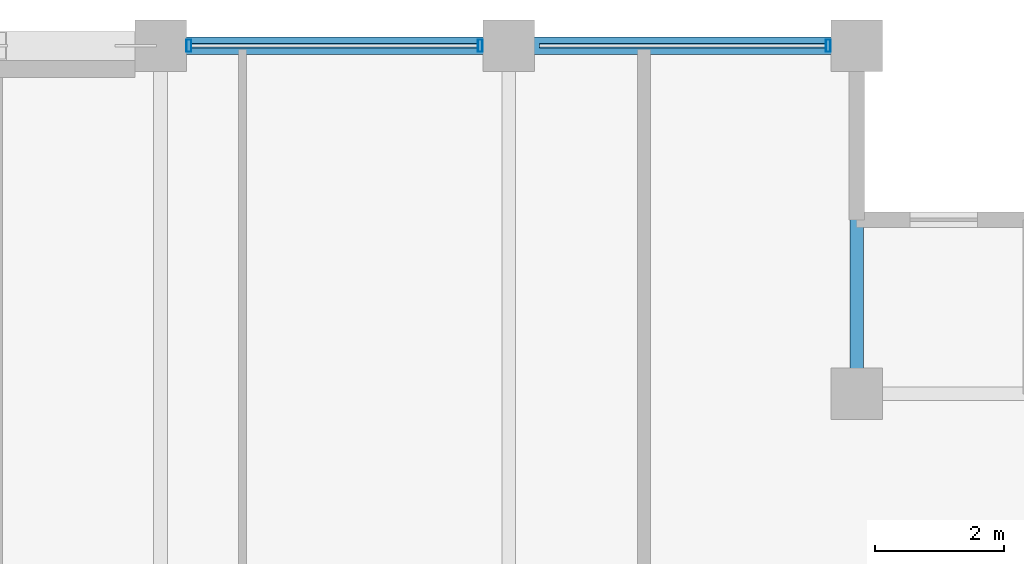
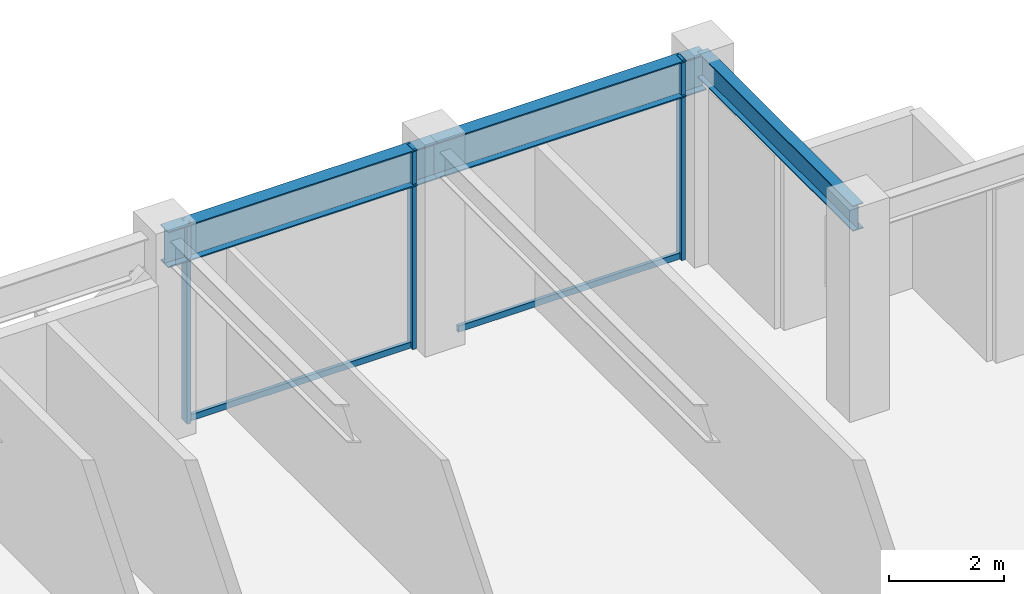
# One storey, part 20 of 28: 5 members, 3 beams, 1 element without a shape of its own.
"""IFC4 building model written with IfcOpenShell, lengths in metres."""

import ifcopenshell
import ifcopenshell.guid

model = None  # the IFC model being written
_history = None  # IfcOwnerHistory: only IFC2X3 demands one
_inside = {}  # id of a spatial element -> (the spatial element, [elements in it])
_under = {}  # id of a project, library or spatial element -> (it, [spatial elements below it])
_declared = {}  # id of a project -> (the project, [libraries it declares])
_typed = {}  # id of a type object -> (the type object, [elements of that type])
_made_of = {}  # id of a material, layer set ... -> (it, [elements and type objects made of it])


def new_model(schema):
    """Start an empty IFC model of exactly this schema.

    Asked for "IFC4X3", IfcOpenShell would pick the latest addendum, in which some entities
    have other attributes; the version numbers below select the first issue.
    IFC2X3 requires an IfcOwnerHistory on every rooted entity: one is made here for all.
    """
    global model, _history
    if schema == "IFC4X3":
        model = ifcopenshell.file(schema_version=(4, 3, 0, 0))
    else:
        model = ifcopenshell.file(schema=schema)
    _inside.clear()
    _under.clear()
    _declared.clear()
    _typed.clear()
    _made_of.clear()
    _history = None
    if model.schema == "IFC2X3":
        org = make("IfcOrganization", Name="unknown")
        user = make(
            "IfcPersonAndOrganization",
            ThePerson=make("IfcPerson", FamilyName="unknown"),
            TheOrganization=org,
        )
        app = make(
            "IfcApplication",
            ApplicationDeveloper=org,
            Version="unknown",
            ApplicationFullName="unknown",
            ApplicationIdentifier="unknown",
        )
        _history = make(
            "IfcOwnerHistory",
            OwningUser=user,
            OwningApplication=app,
            ChangeAction="ADDED",
            CreationDate=0,
        )
    return model


def make(cls, **values):
    """One entity of the class cls with the attributes given. An attribute that is None is left unset."""
    return model.create_entity(
        cls, **{name: value for name, value in values.items() if value is not None}
    )


def rooted(cls, **values):
    """An entity with a GlobalId (a new one), such as an element, a storey or a relation."""
    return make(cls, GlobalId=ifcopenshell.guid.new(), OwnerHistory=_history, **values)


def si_unit(unit_type, name, prefix=None):
    """IfcSIUnit, for example si_unit("LENGTHUNIT", "METRE", prefix="MILLI")."""
    return make("IfcSIUnit", UnitType=unit_type, Prefix=prefix, Name=name)


def assignment(units):
    """IfcUnitAssignment: the units of a project."""
    return None if units is None else make("IfcUnitAssignment", Units=units)


def point(xyz):
    """IfcCartesianPoint."""
    return None if xyz is None else make("IfcCartesianPoint", Coordinates=xyz)


def direction(xyz):
    """IfcDirection."""
    return None if xyz is None else make("IfcDirection", DirectionRatios=xyz)


def frame(location, z_axis=None, x_axis=None):
    """IfcAxis2Placement3D, a coordinate frame: its origin and axes. An axis left out is left unset."""
    return make(
        "IfcAxis2Placement3D",
        Location=point(location),
        Axis=direction(z_axis),
        RefDirection=direction(x_axis),
    )


def frame_2d(location, x_axis=None):
    """IfcAxis2Placement2D, a coordinate frame in the plane: its origin and x axis."""
    return make(
        "IfcAxis2Placement2D", Location=point(location), RefDirection=direction(x_axis)
    )


def origin():
    """The frame at (0, 0, 0) with its axes left unset."""
    return frame((0.0, 0.0, 0.0))


def origin_2d():
    """The frame at (0, 0) in the plane with its x axis left unset."""
    return frame_2d((0.0, 0.0))


def place(relative_to, where):
    """IfcLocalPlacement: puts the frame where relative to a parent placement (None: the world)."""
    return make(
        "IfcLocalPlacement", PlacementRelTo=relative_to, RelativePlacement=where
    )


def context(
    kind, dimensions, precision=None, world=None, true_north=None, identifier=None
):
    """IfcGeometricRepresentationContext, for example the 3D "Model" context."""
    return make(
        "IfcGeometricRepresentationContext",
        ContextIdentifier=identifier,
        ContextType=kind,
        CoordinateSpaceDimension=dimensions,
        Precision=precision,
        WorldCoordinateSystem=world,
        TrueNorth=true_north,
    )


def subcontext(parent, identifier, kind, view, scale=None):
    """IfcGeometricRepresentationSubContext, for example "Body" below "Model"."""
    return make(
        "IfcGeometricRepresentationSubContext",
        ContextIdentifier=identifier,
        ContextType=kind,
        ParentContext=parent,
        TargetScale=scale,
        TargetView=view,
    )


def project(units=None, contexts=None):
    """IfcProject with its units and contexts."""
    return rooted(
        "IfcProject",
        Name="project",
        RepresentationContexts=contexts,
        UnitsInContext=assignment(units),
    )


def spatial(cls, under=None, at=None, **own):
    """A site, building, storey or space (cls), placed at a placement, below another one or the project."""
    s = rooted(cls, ObjectPlacement=at, **own)
    if under is not None:
        _under.setdefault(under.id(), (under, []))[1].append(s)
    return s


def profile(cls, at=None, kind="AREA", **sizes):
    """A parametric profile (cls). Its sizes go by their IFC names, for example OverallWidth=200.0."""
    return make(cls, ProfileType=kind, Position=at, **sizes)


def hollow_rectangle(**sizes):
    """IfcRectangleHollowProfileDef."""
    return profile("IfcRectangleHollowProfileDef", **sizes)


def i_section(**sizes):
    """IfcIShapeProfileDef."""
    return profile("IfcIShapeProfileDef", **sizes)


def extrude(swept, where, along, depth):
    """IfcExtrudedAreaSolid: the profile swept, set in the frame where, extruded along a direction by depth."""
    return make(
        "IfcExtrudedAreaSolid",
        SweptArea=swept,
        Position=where,
        ExtrudedDirection=direction(along),
        Depth=depth,
    )


def shape(context_of_items, identifier, shape_type, items):
    """IfcShapeRepresentation: the items that make up one representation, for example the "Body"."""
    return make(
        "IfcShapeRepresentation",
        ContextOfItems=context_of_items,
        RepresentationIdentifier=identifier,
        RepresentationType=shape_type,
        Items=items,
    )


def material(Name=None, Category=None):
    """IfcMaterial."""
    return make("IfcMaterial", Name=Name, Category=Category)


def layer(
    of_material, thickness, ventilated=None, Name=None, Category=None, Priority=None
):
    """IfcMaterialLayer: one layer of a wall or slab, of a material (None: an air gap)."""
    return make(
        "IfcMaterialLayer",
        Material=of_material,
        LayerThickness=thickness,
        IsVentilated=ventilated,
        Name=Name,
        Category=Category,
        Priority=Priority,
    )


def layer_set(layers, Name=None):
    """IfcMaterialLayerSet."""
    return make("IfcMaterialLayerSet", MaterialLayers=layers, LayerSetName=Name)


def material_profile(
    of_material, cross_section, Name=None, Category=None, Priority=None
):
    """IfcMaterialProfile: a cross section and its material."""
    return make(
        "IfcMaterialProfile",
        Name=Name,
        Material=of_material,
        Profile=cross_section,
        Priority=Priority,
        Category=Category,
    )


def profile_set(profiles, Name=None, composite=None):
    """IfcMaterialProfileSet."""
    return make(
        "IfcMaterialProfileSet",
        Name=Name,
        MaterialProfiles=profiles,
        CompositeProfile=composite,
    )


def made_of(thing, what):
    """Note that an element or type object is made of a material, layer set ...; save() writes the relation."""
    if what is not None:
        _made_of.setdefault(what.id(), (what, []))[1].append(thing)
    return thing


def type_object(cls, material=None, **own):
    """A type object (cls), such as IfcWallType, which elements share."""
    return made_of(rooted(cls, **own), material)


def element(
    cls,
    number,
    at=None,
    inside=None,
    cuts=None,
    type_object=None,
    material=None,
    context=None,
    identifier="Body",
    shape_type=None,
    held_by="IfcProductDefinitionShape",
    body=None,
    shapes=None,
    **own,
):
    """One element of the class cls, such as IfcWall. Its Tag is "e" and its number.

    at: its placement. inside: the storey or other place that contains it. cuts: it is an
    opening in that element (IfcRelVoidsElement). A single representation is given by context,
    identifier, shape_type and body (its items); several are given by shapes. held_by: the class
    of the entity that holds the representations. save() writes the other relations.
    """
    e = rooted(cls, Tag="e%d" % number, ObjectPlacement=at, **own)
    if body is not None:
        shapes = [shape(context, identifier, shape_type, body)]
    if shapes is not None:
        e.Representation = make(held_by, Representations=shapes)
    if inside is not None:
        _inside.setdefault(inside.id(), (inside, []))[1].append(e)
    if cuts is not None:
        rooted(
            "IfcRelVoidsElement", RelatingBuildingElement=cuts, RelatedOpeningElement=e
        )
    if type_object is not None:
        _typed.setdefault(type_object.id(), (type_object, []))[1].append(e)
    return made_of(e, material)


def aggregate(whole, parts):
    """IfcRelAggregates: a whole, such as a stair, and the parts it consists of."""
    return rooted("IfcRelAggregates", RelatingObject=whole, RelatedObjects=parts)


def save(model, path):
    """Write the relations noted so far, then the file.

    IfcRelAggregates (storeys below a building ...), IfcRelContainedInSpatialStructure (elements
    in a storey), IfcRelDefinesByType, IfcRelAssociatesMaterial and IfcRelDeclares: one each for
    every whole, place, type object, material and project.
    """
    for whole, parts in _under.values():
        aggregate(whole, parts)
    for where, things in _inside.values():
        rooted(
            "IfcRelContainedInSpatialStructure",
            RelatedElements=things,
            RelatingStructure=where,
        )
    for kind, things in _typed.values():
        rooted("IfcRelDefinesByType", RelatedObjects=things, RelatingType=kind)
    for what, things in _made_of.values():
        rooted("IfcRelAssociatesMaterial", RelatedObjects=things, RelatingMaterial=what)
    for by, libraries in _declared.values():
        rooted("IfcRelDeclares", RelatingContext=by, RelatedDefinitions=libraries)
    model.write(path)


model = new_model("IFC4")

# Units and contexts
model_context = context("Model", 3, precision=1e-05, world=origin(), true_north=direction((0.0, 1.0)))
body_context = subcontext(model_context, "Body", "Model", "MODEL_VIEW")
ifc_project = project(units=[si_unit("LENGTHUNIT", "METRE"), si_unit("AREAUNIT", "SQUARE_METRE"), si_unit("VOLUMEUNIT", "CUBIC_METRE"), si_unit("PLANEANGLEUNIT", "RADIAN"), si_unit("MASSUNIT", "GRAM", prefix="KILO")], contexts=[model_context])

# Site, building, storey
site_placement = place(None, origin())
site = spatial("IfcSite", under=ifc_project, at=site_placement, CompositionType="ELEMENT")
building_placement = place(site_placement, origin())
building = spatial("IfcBuilding", under=site, at=building_placement, Name="Surkhivell Harbour Commons", CompositionType="ELEMENT")
storey_placement = place(building_placement, frame((0.0, 0.0, 249.75)))
storey = spatial("IfcBuildingStorey", under=building, at=storey_placement, Name="L65", CompositionType="ELEMENT", Elevation=249.75)

# Beams
ifc_material_1 = material(Name="Steel S355", Category="steel")
ifc_material_profile_1 = material_profile(ifc_material_1, i_section(OverallWidth=0.2119140625, OverallDepth=0.5439453125, WebThickness=0.0126953125, FlangeThickness=0.021240234375, at=origin_2d()), Name="UB533x210x122")
ifc_profile_set_1 = profile_set([ifc_material_profile_1], Name="Steel S355")
beam_type_1 = type_object("IfcBeamType", Name="BM-GRD-533A", PredefinedType="BEAM", material=ifc_profile_set_1)
beam_1_placement = place(storey_placement, frame((16.199951171875, 20.5, 3.97802734375), z_axis=(0.0, 1.0, 0.0), x_axis=(-1.0, 0.0, 0.0)))
element("IfcBeam", 1, at=beam_1_placement, inside=storey, type_object=beam_type_1, Name="L65 Floor Girder (16.2,20.5)", PredefinedType="BEAM", context=body_context, shape_type="SweptSolid", body=[
    extrude(i_section(OverallWidth=0.2119140625, OverallDepth=0.5439453125, WebThickness=0.0126953125, FlangeThickness=0.021240234375, at=origin_2d()), origin(), (0.0, 0.0, 1.0), 5.39990234375),
])
ifc_material_profile_2 = material_profile(ifc_material_1, i_section(OverallWidth=0.26806640625, OverallDepth=0.77001953125, WebThickness=0.015625, FlangeThickness=0.025390625, at=origin_2d()), Name="UB762x267x197")
ifc_profile_set_2 = profile_set([ifc_material_profile_2], Name="Steel S355")
beam_type_2 = type_object("IfcBeamType", Name="BM-SPN-762", PredefinedType="SPANDREL", material=ifc_profile_set_2)
beam_2_placement = place(storey_placement, frame((5.39990234375, 25.89990234375, 3.864990234375), z_axis=(1.0, 0.0, 0.0), x_axis=(0.0, 1.0, 0.0)))
element("IfcBeam", 2, at=beam_2_placement, inside=storey, type_object=beam_type_2, Name="L65 Tube Spandrel (5.4,25.9)", PredefinedType="SPANDREL", context=body_context, shape_type="SweptSolid", body=[
    extrude(i_section(OverallWidth=0.26806640625, OverallDepth=0.77001953125, WebThickness=0.015625, FlangeThickness=0.025390625, at=origin_2d()), origin(), (0.0, 0.0, 1.0), 5.400146484375),
])
beam_3_placement = place(storey_placement, frame((10.800048828125, 25.89990234375, 3.864990234375), z_axis=(1.0, 0.0, 0.0), x_axis=(0.0, 1.0, 0.0)))
element("IfcBeam", 3, at=beam_3_placement, inside=storey, type_object=beam_type_2, Name="L65 Tube Spandrel (10.8,25.9)", PredefinedType="SPANDREL", context=body_context, shape_type="SweptSolid", body=[
    extrude(i_section(OverallWidth=0.26806640625, OverallDepth=0.77001953125, WebThickness=0.015625, FlangeThickness=0.025390625, at=origin_2d()), origin(), (0.0, 0.0, 1.0), 5.39990234375),
])

# Curtain wall, members
ifc_material_2 = material(Name="Anodised pale-metal aluminium and insulated glazing", Category="aluminium")
ifc_layer = layer(ifc_material_2, 0.18994140625)
ifc_layer_set = layer_set([ifc_layer], Name="Anodised pale-metal aluminium and insulated glazing")
curtain_wall_type = type_object("IfcCurtainWallType", Name="CW-SYS-Z3", PredefinedType="NOTDEFINED", material=ifc_layer_set)
curtain_wall_placement = place(storey_placement, origin())
curtain_wall = element("IfcCurtainWall", 4, at=curtain_wall_placement, inside=storey, type_object=curtain_wall_type, Name="L65 Curtain Wall CW-L65-E07S1", PredefinedType="NOTDEFINED")
ifc_material_3 = material(Name="Anodised pale-metal aluminium alloy 6063-T6", Category="aluminium")
ifc_material_profile_3 = material_profile(ifc_material_3, hollow_rectangle(XDim=0.074951171875, YDim=0.18994140625, WallThickness=0.00390625, at=origin_2d()), Name="ALU-MULL-75x190")
ifc_profile_set_3 = profile_set([ifc_material_profile_3], Name="Anodised pale-metal aluminium alloy 6063-T6")
member_type_1 = type_object("IfcMemberType", Name="CWM-190", PredefinedType="MULLION", material=ifc_profile_set_3)
member_1_placement = place(storey_placement, frame((15.760498046875, 25.89990234375, 0.0), z_axis=(0.0, 0.0, 1.0), x_axis=(-1.0, 0.0, 0.0)))
member_1 = element("IfcMember", 5, at=member_1_placement, type_object=member_type_1, Name="CW-Z3 mullion 1", PredefinedType="MULLION", context=body_context, shape_type="SweptSolid", body=[
    extrude(hollow_rectangle(XDim=0.074951171875, YDim=0.18994140625, WallThickness=0.00390625, at=origin_2d()), origin(), (0.0, 0.0, 1.0), 4.25),
])
member_2_placement = place(storey_placement, frame((10.360595703125, 25.89990234375, 0.0), z_axis=(0.0, 0.0, 1.0), x_axis=(-1.0, 0.0, 0.0)))
member_2 = element("IfcMember", 6, at=member_2_placement, type_object=member_type_1, Name="CW-Z3 mullion 2", PredefinedType="MULLION", context=body_context, shape_type="SweptSolid", body=[
    extrude(hollow_rectangle(XDim=0.074951171875, YDim=0.18994140625, WallThickness=0.00390625, at=origin_2d()), origin(), (0.0, 0.0, 1.0), 4.25),
])
member_3_placement = place(storey_placement, frame((5.839599609375, 25.89990234375, 0.0), z_axis=(0.0, 0.0, 1.0), x_axis=(-1.0, 0.0, 0.0)))
member_3 = element("IfcMember", 7, at=member_3_placement, type_object=member_type_1, Name="CW-Z3 mullion 3", PredefinedType="MULLION", context=body_context, shape_type="SweptSolid", body=[
    extrude(hollow_rectangle(XDim=0.074951171875, YDim=0.18994140625, WallThickness=0.00390625, at=origin_2d()), origin(), (0.0, 0.0, 1.0), 4.25),
])
ifc_material_4 = material(Name="Champagne anodised aluminium alloy 6063-T6", Category="aluminium")
ifc_material_profile_4 = material_profile(ifc_material_4, hollow_rectangle(XDim=0.070068359375, YDim=0.1298828125, WallThickness=0.00341796875, at=origin_2d()), Name="ALU-TRAN-70x130")
ifc_profile_set_4 = profile_set([ifc_material_profile_4], Name="Champagne anodised aluminium alloy 6063-T6")
member_type_2 = type_object("IfcMemberType", Name="CWT-130", PredefinedType="USERDEFINED", material=ifc_profile_set_4)
member_4_placement = place(storey_placement, frame((15.722900390625, 25.89990234375, 0.06494140625), z_axis=(-1.0, 0.0, 0.0), x_axis=(0.0, -1.0, 0.0)))
member_4 = element("IfcMember", 8, at=member_4_placement, type_object=member_type_2, Name="CW-Z3 transom 1.1", ObjectType="TRANSOM", PredefinedType="USERDEFINED", context=body_context, shape_type="SweptSolid", body=[
    extrude(hollow_rectangle(XDim=0.070068359375, YDim=0.1298828125, WallThickness=0.00341796875, at=origin_2d()), origin(), (0.0, 0.0, 1.0), 4.44580078125),
])
member_5_placement = place(storey_placement, frame((10.322998046875, 25.89990234375, 0.06494140625), z_axis=(-1.0, 0.0, 0.0), x_axis=(0.0, -1.0, 0.0)))
member_5 = element("IfcMember", 9, at=member_5_placement, type_object=member_type_2, Name="CW-Z3 transom 2.1", ObjectType="TRANSOM", PredefinedType="USERDEFINED", context=body_context, shape_type="SweptSolid", body=[
    extrude(hollow_rectangle(XDim=0.070068359375, YDim=0.1298828125, WallThickness=0.00341796875, at=origin_2d()), origin(), (0.0, 0.0, 1.0), 4.446044921875),
])
aggregate(curtain_wall, [member_1, member_4, member_2, member_3, member_5])

save(model, "model.ifc")
